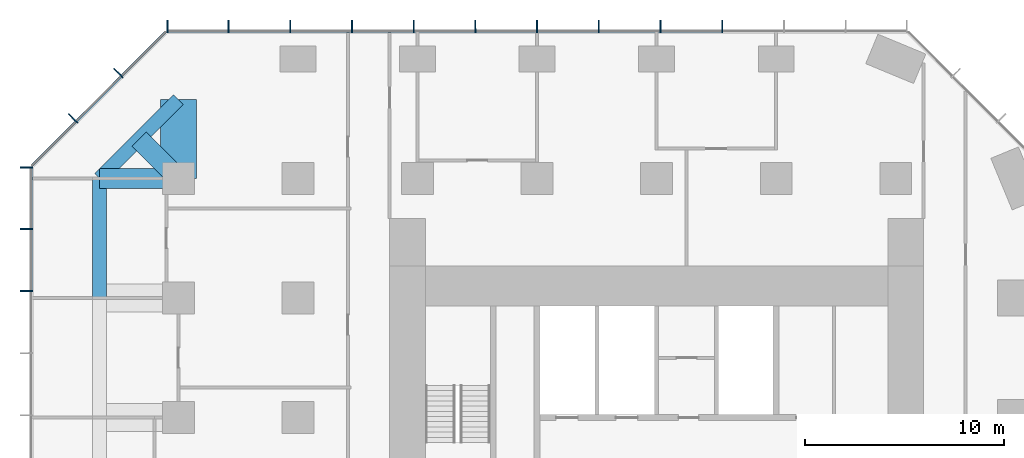
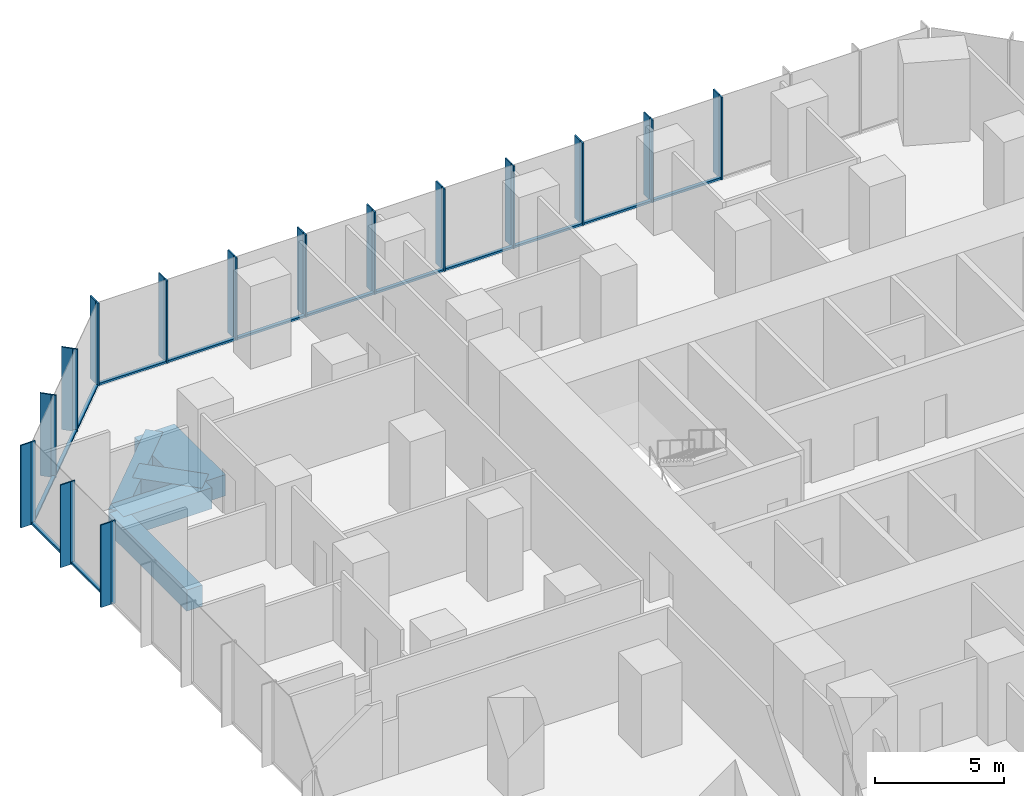
# One storey, part 5 of 11: 44 members, 5 beams, 3 elements without a shape of their own.
"""IFC4 building model written with IfcOpenShell, lengths in metres."""

from ifc_helpers import new_model, si_unit, direction, frame, origin, origin_2d, place, context, subcontext, project, spatial, rectangle, extrude, material, layer, layer_set, material_profile, profile_set, type_object, element, aggregate, save


model = new_model("IFC4")

# Units and contexts
model_context = context("Model", 3, precision=1e-05, world=origin(), true_north=direction((0.0, 1.0)))
body_context = subcontext(model_context, "Body", "Model", "MODEL_VIEW")
ifc_project = project(units=[si_unit("LENGTHUNIT", "METRE"), si_unit("AREAUNIT", "SQUARE_METRE"), si_unit("VOLUMEUNIT", "CUBIC_METRE"), si_unit("PLANEANGLEUNIT", "RADIAN"), si_unit("MASSUNIT", "GRAM", prefix="KILO")], contexts=[model_context])

# Site, building, storey
site_placement = place(None, origin())
site = spatial("IfcSite", under=ifc_project, at=site_placement, CompositionType="ELEMENT")
building_placement = place(site_placement, origin())
building = spatial("IfcBuilding", under=site, at=building_placement, Name="Highveld Stack Headquarters", CompositionType="ELEMENT")
storey_placement = place(building_placement, frame((0.0, 0.0, 132.800048828125)))
storey = spatial("IfcBuildingStorey", under=building, at=storey_placement, Name="L32", CompositionType="ELEMENT", Elevation=132.800048828125)

# Beams
ifc_material_1 = material(Name="Concrete C60/75", Category="concrete")
ifc_material_profile_1 = material_profile(ifc_material_1, rectangle(XDim=1.0, YDim=1.0, at=origin_2d()), Name="RC 1000x1000")
ifc_profile_set_1 = profile_set([ifc_material_profile_1], Name="Concrete C60/75")
beam_type_1 = type_object("IfcBeamType", Name="CANTILEVER RIB RC 1000x1000", PredefinedType="USERDEFINED", material=ifc_profile_set_1)
beam_1_placement = place(storey_placement, frame((-18.0, 18.0, -0.75), z_axis=(-1.0, 0.0, 0.0), x_axis=(0.0, -1.0, 0.0)))
element("IfcBeam", 1, at=beam_1_placement, inside=storey, type_object=beam_type_1, Name="Cantilever rib 3/H L32", ObjectType="CANTILEVER RIB", PredefinedType="USERDEFINED", context=body_context, shape_type="SweptSolid", body=[
    extrude(rectangle(XDim=1.0, YDim=1.0, at=origin_2d()), origin(), (0.0, 0.0, 1.0), 3.949951171875),
])
beam_2_placement = place(storey_placement, frame((-18.0, 18.0, -0.75), z_axis=(-0.707106781187, 0.707106781187, 0.0), x_axis=(-0.707106781187, -0.707106781187, 0.0)))
element("IfcBeam", 2, at=beam_2_placement, inside=storey, type_object=beam_type_1, Name="Cantilever rib 3/H L32", ObjectType="CANTILEVER RIB", PredefinedType="USERDEFINED", context=body_context, shape_type="SweptSolid", body=[
    extrude(rectangle(XDim=1.0, YDim=1.0, at=origin_2d()), origin(), (0.0, 0.0, 1.0), 2.793212890625),
])
ifc_material_2 = material(Name="Concrete C60/75", Category="concrete")
ifc_material_profile_2 = material_profile(ifc_material_2, rectangle(XDim=1.800048828125, YDim=1.0, at=origin_2d()), Name="RC 1800x1000")
ifc_profile_set_2 = profile_set([ifc_material_profile_2], Name="Concrete C60/75")
beam_type_2 = type_object("IfcBeamType", Name="CANTILEVER RIB RC 1800x1000", PredefinedType="USERDEFINED", material=ifc_profile_set_2)
beam_3_placement = place(storey_placement, frame((-18.0, 18.0, -0.75), z_axis=(0.0, 1.0, 0.0), x_axis=(-1.0, 0.0, 0.0)))
element("IfcBeam", 3, at=beam_3_placement, inside=storey, type_object=beam_type_2, Name="Cantilever rib 3/H L32", ObjectType="CANTILEVER RIB", PredefinedType="USERDEFINED", context=body_context, shape_type="SweptSolid", body=[
    extrude(rectangle(XDim=1.800048828125, YDim=1.0, at=origin_2d()), origin(), (0.0, 0.0, 1.0), 3.949951171875),
])

# Curtain wall, members
ifc_material_3 = material(Name="Aluminium bronze anodised", Category="aluminium")
ifc_layer_1 = layer(ifc_material_3, 0.199951171875)
ifc_layer_set_1 = layer_set([ifc_layer_1], Name="Aluminium bronze anodised")
curtain_wall_type_1 = type_object("IfcCurtainWallType", Name="CW1 TOWER UNITISED CURTAIN WALL", PredefinedType="NOTDEFINED", material=ifc_layer_set_1)
curtain_wall_1_placement = place(storey_placement, origin())
curtain_wall_1 = element("IfcCurtainWall", 4, at=curtain_wall_1_placement, inside=storey, type_object=curtain_wall_type_1, Name="Curtain wall CW1 L32 N", PredefinedType="NOTDEFINED")
ifc_material_4 = material(Name="Aluminium bronze anodised", Category="aluminium")
ifc_material_profile_3 = material_profile(ifc_material_4, rectangle(XDim=0.449951171875, YDim=0.06005859375, at=origin_2d()), Name="FIN 450x60")
ifc_profile_set_3 = profile_set([ifc_material_profile_3], Name="Aluminium bronze anodised")
member_type_1 = type_object("IfcMemberType", Name="CW1 BRONZE FIN 450x60", PredefinedType="USERDEFINED", material=ifc_profile_set_3)
member_1_placement = place(storey_placement, frame((9.289794921875, 25.72509765625, 0.0), z_axis=(0.0, 0.0, 1.0), x_axis=(0.0, -1.0, 0.0)))
member_1 = element("IfcMember", 5, at=member_1_placement, type_object=member_type_1, Name="CW1 fin L32 4", ObjectType="FIN", PredefinedType="USERDEFINED", context=body_context, shape_type="SweptSolid", body=[
    extrude(rectangle(XDim=0.449951171875, YDim=0.06005859375, at=origin_2d()), origin(), (0.0, 0.0, 1.0), 3.89990234375),
])
member_2_placement = place(storey_placement, frame((6.193359375, 25.72509765625, 0.0), z_axis=(0.0, 0.0, 1.0), x_axis=(0.0, -1.0, 0.0)))
member_2 = element("IfcMember", 6, at=member_2_placement, type_object=member_type_1, Name="CW1 fin L32 5", ObjectType="FIN", PredefinedType="USERDEFINED", context=body_context, shape_type="SweptSolid", body=[
    extrude(rectangle(XDim=0.449951171875, YDim=0.06005859375, at=origin_2d()), origin(), (0.0, 0.0, 1.0), 3.89990234375),
])
member_3_placement = place(storey_placement, frame((3.0966796875, 25.72509765625, 0.0), z_axis=(0.0, 0.0, 1.0), x_axis=(0.0, -1.0, 0.0)))
member_3 = element("IfcMember", 7, at=member_3_placement, type_object=member_type_1, Name="CW1 fin L32 6", ObjectType="FIN", PredefinedType="USERDEFINED", context=body_context, shape_type="SweptSolid", body=[
    extrude(rectangle(XDim=0.449951171875, YDim=0.06005859375, at=origin_2d()), origin(), (0.0, 0.0, 1.0), 3.89990234375),
])
member_4_placement = place(storey_placement, frame((0.0, 25.72509765625, 0.0), z_axis=(0.0, 0.0, 1.0), x_axis=(0.0, -1.0, 0.0)))
member_4 = element("IfcMember", 8, at=member_4_placement, type_object=member_type_1, Name="CW1 fin L32 7", ObjectType="FIN", PredefinedType="USERDEFINED", context=body_context, shape_type="SweptSolid", body=[
    extrude(rectangle(XDim=0.449951171875, YDim=0.06005859375, at=origin_2d()), origin(), (0.0, 0.0, 1.0), 3.89990234375),
])
member_5_placement = place(storey_placement, frame((-3.0966796875, 25.72509765625, 0.0), z_axis=(0.0, 0.0, 1.0), x_axis=(0.0, -1.0, 0.0)))
member_5 = element("IfcMember", 9, at=member_5_placement, type_object=member_type_1, Name="CW1 fin L32 8", ObjectType="FIN", PredefinedType="USERDEFINED", context=body_context, shape_type="SweptSolid", body=[
    extrude(rectangle(XDim=0.449951171875, YDim=0.06005859375, at=origin_2d()), origin(), (0.0, 0.0, 1.0), 3.89990234375),
])
member_6_placement = place(storey_placement, frame((-6.193359375, 25.72509765625, 0.0), z_axis=(0.0, 0.0, 1.0), x_axis=(0.0, -1.0, 0.0)))
member_6 = element("IfcMember", 10, at=member_6_placement, type_object=member_type_1, Name="CW1 fin L32 9", ObjectType="FIN", PredefinedType="USERDEFINED", context=body_context, shape_type="SweptSolid", body=[
    extrude(rectangle(XDim=0.449951171875, YDim=0.06005859375, at=origin_2d()), origin(), (0.0, 0.0, 1.0), 3.89990234375),
])
member_7_placement = place(storey_placement, frame((-9.2900390625, 25.72509765625, 0.0), z_axis=(0.0, 0.0, 1.0), x_axis=(0.0, -1.0, 0.0)))
member_7 = element("IfcMember", 11, at=member_7_placement, type_object=member_type_1, Name="CW1 fin L32 10", ObjectType="FIN", PredefinedType="USERDEFINED", context=body_context, shape_type="SweptSolid", body=[
    extrude(rectangle(XDim=0.449951171875, YDim=0.06005859375, at=origin_2d()), origin(), (0.0, 0.0, 1.0), 3.89990234375),
])
member_8_placement = place(storey_placement, frame((-12.38671875, 25.72509765625, 0.0), z_axis=(0.0, 0.0, 1.0), x_axis=(0.0, -1.0, 0.0)))
member_8 = element("IfcMember", 12, at=member_8_placement, type_object=member_type_1, Name="CW1 fin L32 11", ObjectType="FIN", PredefinedType="USERDEFINED", context=body_context, shape_type="SweptSolid", body=[
    extrude(rectangle(XDim=0.449951171875, YDim=0.06005859375, at=origin_2d()), origin(), (0.0, 0.0, 1.0), 3.89990234375),
])
member_9_placement = place(storey_placement, frame((-15.4833984375, 25.72509765625, 0.0), z_axis=(0.0, 0.0, 1.0), x_axis=(0.0, -1.0, 0.0)))
member_9 = element("IfcMember", 13, at=member_9_placement, type_object=member_type_1, Name="CW1 fin L32 12", ObjectType="FIN", PredefinedType="USERDEFINED", context=body_context, shape_type="SweptSolid", body=[
    extrude(rectangle(XDim=0.449951171875, YDim=0.06005859375, at=origin_2d()), origin(), (0.0, 0.0, 1.0), 3.89990234375),
])
member_10_placement = place(storey_placement, frame((-18.54736328125, 25.72509765625, 0.0), z_axis=(0.0, 0.0, 1.0), x_axis=(0.0, -1.0, 0.0)))
member_10 = element("IfcMember", 14, at=member_10_placement, type_object=member_type_1, Name="CW1 fin L32 13", ObjectType="FIN", PredefinedType="USERDEFINED", context=body_context, shape_type="SweptSolid", body=[
    extrude(rectangle(XDim=0.449951171875, YDim=0.06005859375, at=origin_2d()), origin(), (0.0, 0.0, 1.0), 3.89990234375),
])

curtain_wall_2_placement = place(storey_placement, origin())
curtain_wall_2 = element("IfcCurtainWall", 15, at=curtain_wall_2_placement, inside=storey, type_object=curtain_wall_type_1, Name="Curtain wall CW1 L32 W", PredefinedType="NOTDEFINED")
member_11_placement = place(storey_placement, frame((-25.72509765625, 18.54736328125, 0.0), z_axis=(0.0, 0.0, 1.0), x_axis=(1.0, 0.0, 0.0)))
member_11 = element("IfcMember", 16, at=member_11_placement, type_object=member_type_1, Name="CW1 fin L32 1", ObjectType="FIN", PredefinedType="USERDEFINED", context=body_context, shape_type="SweptSolid", body=[
    extrude(rectangle(XDim=0.449951171875, YDim=0.06005859375, at=origin_2d()), origin(), (0.0, 0.0, 1.0), 3.89990234375),
])
member_12_placement = place(storey_placement, frame((-25.72509765625, 15.4638671875, 0.0), z_axis=(0.0, 0.0, 1.0), x_axis=(1.0, 0.0, 0.0)))
member_12 = element("IfcMember", 17, at=member_12_placement, type_object=member_type_1, Name="CW1 fin L32 2", ObjectType="FIN", PredefinedType="USERDEFINED", context=body_context, shape_type="SweptSolid", body=[
    extrude(rectangle(XDim=0.449951171875, YDim=0.06005859375, at=origin_2d()), origin(), (0.0, 0.0, 1.0), 3.89990234375),
])
member_13_placement = place(storey_placement, frame((-25.72509765625, 12.347900390625, 0.0), z_axis=(0.0, 0.0, 1.0), x_axis=(1.0, 0.0, 0.0)))
member_13 = element("IfcMember", 18, at=member_13_placement, type_object=member_type_1, Name="CW1 fin L32 3", ObjectType="FIN", PredefinedType="USERDEFINED", context=body_context, shape_type="SweptSolid", body=[
    extrude(rectangle(XDim=0.449951171875, YDim=0.06005859375, at=origin_2d()), origin(), (0.0, 0.0, 1.0), 3.89990234375),
])

# Member
ifc_material_5 = material(Name="Aluminium bronze anodised", Category="aluminium")
ifc_material_profile_4 = material_profile(ifc_material_5, rectangle(XDim=0.199951171875, YDim=0.06494140625, at=origin_2d()), Name="CW1 MULLION 65x200")
ifc_profile_set_4 = profile_set([ifc_material_profile_4], Name="Aluminium bronze anodised")
member_type_2 = type_object("IfcMemberType", Name="CW1 MULLION 65x200", PredefinedType="MULLION", material=ifc_profile_set_4)
member_14_placement = place(storey_placement, frame((9.289794921875, 25.39990234375, 0.0), z_axis=(0.0, 0.0, 1.0), x_axis=(0.0, -1.0, 0.0)))
member_14 = element("IfcMember", 19, at=member_14_placement, type_object=member_type_2, Name="CW1 mullion L32 4", PredefinedType="MULLION", context=body_context, shape_type="SweptSolid", body=[
    extrude(rectangle(XDim=0.199951171875, YDim=0.06494140625, at=origin_2d()), origin(), (0.0, 0.0, 1.0), 3.89990234375),
])

member_15_placement = place(storey_placement, frame((6.193359375, 25.39990234375, 0.0), z_axis=(0.0, 0.0, 1.0), x_axis=(0.0, -1.0, 0.0)))
member_15 = element("IfcMember", 20, at=member_15_placement, type_object=member_type_2, Name="CW1 mullion L32 5", PredefinedType="MULLION", context=body_context, shape_type="SweptSolid", body=[
    extrude(rectangle(XDim=0.199951171875, YDim=0.06494140625, at=origin_2d()), origin(), (0.0, 0.0, 1.0), 3.89990234375),
])

member_16_placement = place(storey_placement, frame((3.0966796875, 25.39990234375, 0.0), z_axis=(0.0, 0.0, 1.0), x_axis=(0.0, -1.0, 0.0)))
member_16 = element("IfcMember", 21, at=member_16_placement, type_object=member_type_2, Name="CW1 mullion L32 6", PredefinedType="MULLION", context=body_context, shape_type="SweptSolid", body=[
    extrude(rectangle(XDim=0.199951171875, YDim=0.06494140625, at=origin_2d()), origin(), (0.0, 0.0, 1.0), 3.89990234375),
])

member_17_placement = place(storey_placement, frame((0.0, 25.39990234375, 0.0), z_axis=(0.0, 0.0, 1.0), x_axis=(0.0, -1.0, 0.0)))
member_17 = element("IfcMember", 22, at=member_17_placement, type_object=member_type_2, Name="CW1 mullion L32 7", PredefinedType="MULLION", context=body_context, shape_type="SweptSolid", body=[
    extrude(rectangle(XDim=0.199951171875, YDim=0.06494140625, at=origin_2d()), origin(), (0.0, 0.0, 1.0), 3.89990234375),
])

member_18_placement = place(storey_placement, frame((-3.0966796875, 25.39990234375, 0.0), z_axis=(0.0, 0.0, 1.0), x_axis=(0.0, -1.0, 0.0)))
member_18 = element("IfcMember", 23, at=member_18_placement, type_object=member_type_2, Name="CW1 mullion L32 8", PredefinedType="MULLION", context=body_context, shape_type="SweptSolid", body=[
    extrude(rectangle(XDim=0.199951171875, YDim=0.06494140625, at=origin_2d()), origin(), (0.0, 0.0, 1.0), 3.89990234375),
])

member_19_placement = place(storey_placement, frame((-6.193359375, 25.39990234375, 0.0), z_axis=(0.0, 0.0, 1.0), x_axis=(0.0, -1.0, 0.0)))
member_19 = element("IfcMember", 24, at=member_19_placement, type_object=member_type_2, Name="CW1 mullion L32 9", PredefinedType="MULLION", context=body_context, shape_type="SweptSolid", body=[
    extrude(rectangle(XDim=0.199951171875, YDim=0.06494140625, at=origin_2d()), origin(), (0.0, 0.0, 1.0), 3.89990234375),
])

member_20_placement = place(storey_placement, frame((-9.2900390625, 25.39990234375, 0.0), z_axis=(0.0, 0.0, 1.0), x_axis=(0.0, -1.0, 0.0)))
member_20 = element("IfcMember", 25, at=member_20_placement, type_object=member_type_2, Name="CW1 mullion L32 10", PredefinedType="MULLION", context=body_context, shape_type="SweptSolid", body=[
    extrude(rectangle(XDim=0.199951171875, YDim=0.06494140625, at=origin_2d()), origin(), (0.0, 0.0, 1.0), 3.89990234375),
])

member_21_placement = place(storey_placement, frame((-12.38671875, 25.39990234375, 0.0), z_axis=(0.0, 0.0, 1.0), x_axis=(0.0, -1.0, 0.0)))
member_21 = element("IfcMember", 26, at=member_21_placement, type_object=member_type_2, Name="CW1 mullion L32 11", PredefinedType="MULLION", context=body_context, shape_type="SweptSolid", body=[
    extrude(rectangle(XDim=0.199951171875, YDim=0.06494140625, at=origin_2d()), origin(), (0.0, 0.0, 1.0), 3.89990234375),
])

member_22_placement = place(storey_placement, frame((-15.4833984375, 25.39990234375, 0.0), z_axis=(0.0, 0.0, 1.0), x_axis=(0.0, -1.0, 0.0)))
member_22 = element("IfcMember", 27, at=member_22_placement, type_object=member_type_2, Name="CW1 mullion L32 12", PredefinedType="MULLION", context=body_context, shape_type="SweptSolid", body=[
    extrude(rectangle(XDim=0.199951171875, YDim=0.06494140625, at=origin_2d()), origin(), (0.0, 0.0, 1.0), 3.89990234375),
])

member_23_placement = place(storey_placement, frame((-18.54736328125, 25.39990234375, 0.0), z_axis=(0.0, 0.0, 1.0), x_axis=(0.0, -1.0, 0.0)))
member_23 = element("IfcMember", 28, at=member_23_placement, type_object=member_type_2, Name="CW1 mullion L32 13", PredefinedType="MULLION", context=body_context, shape_type="SweptSolid", body=[
    extrude(rectangle(XDim=0.199951171875, YDim=0.06494140625, at=origin_2d()), origin(), (0.0, 0.0, 1.0), 3.89990234375),
])

member_24_placement = place(storey_placement, frame((-25.39990234375, 18.54736328125, 0.0), z_axis=(0.0, 0.0, 1.0), x_axis=(1.0, 0.0, 0.0)))
member_24 = element("IfcMember", 29, at=member_24_placement, type_object=member_type_2, Name="CW1 mullion L32 1", PredefinedType="MULLION", context=body_context, shape_type="SweptSolid", body=[
    extrude(rectangle(XDim=0.199951171875, YDim=0.06494140625, at=origin_2d()), origin(), (0.0, 0.0, 1.0), 3.89990234375),
])

member_25_placement = place(storey_placement, frame((-25.39990234375, 15.4638671875, 0.0), z_axis=(0.0, 0.0, 1.0), x_axis=(1.0, 0.0, 0.0)))
member_25 = element("IfcMember", 30, at=member_25_placement, type_object=member_type_2, Name="CW1 mullion L32 2", PredefinedType="MULLION", context=body_context, shape_type="SweptSolid", body=[
    extrude(rectangle(XDim=0.199951171875, YDim=0.06494140625, at=origin_2d()), origin(), (0.0, 0.0, 1.0), 3.89990234375),
])

member_26_placement = place(storey_placement, frame((-25.39990234375, 12.347900390625, 0.0), z_axis=(0.0, 0.0, 1.0), x_axis=(1.0, 0.0, 0.0)))
member_26 = element("IfcMember", 31, at=member_26_placement, type_object=member_type_2, Name="CW1 mullion L32 3", PredefinedType="MULLION", context=body_context, shape_type="SweptSolid", body=[
    extrude(rectangle(XDim=0.199951171875, YDim=0.06494140625, at=origin_2d()), origin(), (0.0, 0.0, 1.0), 3.89990234375),
])

ifc_material_6 = material(Name="Aluminium bronze anodised", Category="aluminium")
ifc_material_profile_5 = material_profile(ifc_material_6, rectangle(XDim=0.14990234375, YDim=0.10009765625, at=origin_2d()), Name="CW1 TRANSOM 150x100")
ifc_profile_set_5 = profile_set([ifc_material_profile_5], Name="Aluminium bronze anodised")
member_type_3 = type_object("IfcMemberType", Name="CW1 STACK TRANSOM 150x100", PredefinedType="USERDEFINED", material=ifc_profile_set_5)
member_27_placement = place(storey_placement, frame((9.25732421875, 25.39990234375, 0.050048828125), z_axis=(-1.0, 0.0, 0.0), x_axis=(0.0, -1.0, 0.0)))
member_27 = element("IfcMember", 32, at=member_27_placement, type_object=member_type_3, Name="CW1 transom L32 4.1", ObjectType="TRANSOM", PredefinedType="USERDEFINED", context=body_context, shape_type="SweptSolid", body=[
    extrude(rectangle(XDim=0.14990234375, YDim=0.10009765625, at=origin_2d()), origin(), (0.0, 0.0, 1.0), 3.031494140625),
])

member_28_placement = place(storey_placement, frame((6.160888671875, 25.39990234375, 0.050048828125), z_axis=(-1.0, 0.0, 0.0), x_axis=(0.0, -1.0, 0.0)))
member_28 = element("IfcMember", 33, at=member_28_placement, type_object=member_type_3, Name="CW1 transom L32 5.1", ObjectType="TRANSOM", PredefinedType="USERDEFINED", context=body_context, shape_type="SweptSolid", body=[
    extrude(rectangle(XDim=0.14990234375, YDim=0.10009765625, at=origin_2d()), origin(), (0.0, 0.0, 1.0), 3.03173828125),
])

member_29_placement = place(storey_placement, frame((3.064208984375, 25.39990234375, 0.050048828125), z_axis=(-1.0, 0.0, 0.0), x_axis=(0.0, -1.0, 0.0)))
member_29 = element("IfcMember", 34, at=member_29_placement, type_object=member_type_3, Name="CW1 transom L32 6.1", ObjectType="TRANSOM", PredefinedType="USERDEFINED", context=body_context, shape_type="SweptSolid", body=[
    extrude(rectangle(XDim=0.14990234375, YDim=0.10009765625, at=origin_2d()), origin(), (0.0, 0.0, 1.0), 3.03173828125),
])

member_30_placement = place(storey_placement, frame((-0.032470703125, 25.39990234375, 0.050048828125), z_axis=(-1.0, 0.0, 0.0), x_axis=(0.0, -1.0, 0.0)))
member_30 = element("IfcMember", 35, at=member_30_placement, type_object=member_type_3, Name="CW1 transom L32 7.1", ObjectType="TRANSOM", PredefinedType="USERDEFINED", context=body_context, shape_type="SweptSolid", body=[
    extrude(rectangle(XDim=0.14990234375, YDim=0.10009765625, at=origin_2d()), origin(), (0.0, 0.0, 1.0), 3.03173828125),
])

member_31_placement = place(storey_placement, frame((-3.129150390625, 25.39990234375, 0.050048828125), z_axis=(-1.0, 0.0, 0.0), x_axis=(0.0, -1.0, 0.0)))
member_31 = element("IfcMember", 36, at=member_31_placement, type_object=member_type_3, Name="CW1 transom L32 8.1", ObjectType="TRANSOM", PredefinedType="USERDEFINED", context=body_context, shape_type="SweptSolid", body=[
    extrude(rectangle(XDim=0.14990234375, YDim=0.10009765625, at=origin_2d()), origin(), (0.0, 0.0, 1.0), 3.03173828125),
])

member_32_placement = place(storey_placement, frame((-6.225830078125, 25.39990234375, 0.050048828125), z_axis=(-1.0, 0.0, 0.0), x_axis=(0.0, -1.0, 0.0)))
member_32 = element("IfcMember", 37, at=member_32_placement, type_object=member_type_3, Name="CW1 transom L32 9.1", ObjectType="TRANSOM", PredefinedType="USERDEFINED", context=body_context, shape_type="SweptSolid", body=[
    extrude(rectangle(XDim=0.14990234375, YDim=0.10009765625, at=origin_2d()), origin(), (0.0, 0.0, 1.0), 3.03173828125),
])

member_33_placement = place(storey_placement, frame((-9.322509765625, 25.39990234375, 0.050048828125), z_axis=(-1.0, 0.0, 0.0), x_axis=(0.0, -1.0, 0.0)))
member_33 = element("IfcMember", 38, at=member_33_placement, type_object=member_type_3, Name="CW1 transom L32 10.1", ObjectType="TRANSOM", PredefinedType="USERDEFINED", context=body_context, shape_type="SweptSolid", body=[
    extrude(rectangle(XDim=0.14990234375, YDim=0.10009765625, at=origin_2d()), origin(), (0.0, 0.0, 1.0), 3.031494140625),
])

member_34_placement = place(storey_placement, frame((-12.419189453125, 25.39990234375, 0.050048828125), z_axis=(-1.0, 0.0, 0.0), x_axis=(0.0, -1.0, 0.0)))
member_34 = element("IfcMember", 39, at=member_34_placement, type_object=member_type_3, Name="CW1 transom L32 11.1", ObjectType="TRANSOM", PredefinedType="USERDEFINED", context=body_context, shape_type="SweptSolid", body=[
    extrude(rectangle(XDim=0.14990234375, YDim=0.10009765625, at=origin_2d()), origin(), (0.0, 0.0, 1.0), 3.031494140625),
])

member_35_placement = place(storey_placement, frame((-15.515869140625, 25.39990234375, 0.050048828125), z_axis=(-1.0, 0.0, 0.0), x_axis=(0.0, -1.0, 0.0)))
member_35 = element("IfcMember", 40, at=member_35_placement, type_object=member_type_3, Name="CW1 transom L32 12.1", ObjectType="TRANSOM", PredefinedType="USERDEFINED", context=body_context, shape_type="SweptSolid", body=[
    extrude(rectangle(XDim=0.14990234375, YDim=0.10009765625, at=origin_2d()), origin(), (0.0, 0.0, 1.0), 2.9990234375),
])

aggregate(curtain_wall_1, [member_14, member_1, member_15, member_2, member_16, member_3, member_17, member_4, member_18, member_5, member_19, member_6, member_20, member_7, member_21, member_8, member_22, member_9, member_23, member_10, member_27, member_28, member_29, member_30, member_31, member_32, member_33, member_34, member_35])

member_36_placement = place(storey_placement, frame((-25.39990234375, 18.514892578125, 0.050048828125), z_axis=(0.0, -1.0, 0.0), x_axis=(1.0, 0.0, 0.0)))
member_36 = element("IfcMember", 41, at=member_36_placement, type_object=member_type_3, Name="CW1 transom L32 1.1", ObjectType="TRANSOM", PredefinedType="USERDEFINED", context=body_context, shape_type="SweptSolid", body=[
    extrude(rectangle(XDim=0.14990234375, YDim=0.10009765625, at=origin_2d()), origin(), (0.0, 0.0, 1.0), 3.0185546875),
])

member_37_placement = place(storey_placement, frame((-25.39990234375, 15.431396484375, 0.050048828125), z_axis=(0.0, -1.0, 0.0), x_axis=(1.0, 0.0, 0.0)))
member_37 = element("IfcMember", 42, at=member_37_placement, type_object=member_type_3, Name="CW1 transom L32 2.1", ObjectType="TRANSOM", PredefinedType="USERDEFINED", context=body_context, shape_type="SweptSolid", body=[
    extrude(rectangle(XDim=0.14990234375, YDim=0.10009765625, at=origin_2d()), origin(), (0.0, 0.0, 1.0), 3.051025390625),
])

aggregate(curtain_wall_2, [member_24, member_11, member_25, member_12, member_26, member_13, member_36, member_37])

# Curtain wall, members
ifc_material_7 = material(Name="Aluminium bronze anodised", Category="aluminium")
ifc_layer_2 = layer(ifc_material_7, 0.199951171875)
ifc_layer_set_2 = layer_set([ifc_layer_2], Name="Aluminium bronze anodised")
curtain_wall_type_2 = type_object("IfcCurtainWallType", Name="CW2 TOWER CHAMFER UNITISED CURTAIN WALL", PredefinedType="NOTDEFINED", material=ifc_layer_set_2)
curtain_wall_3_placement = place(storey_placement, origin())
curtain_wall_3 = element("IfcCurtainWall", 43, at=curtain_wall_3_placement, inside=storey, type_object=curtain_wall_type_2, Name="Curtain wall CW2 L32 NW", PredefinedType="NOTDEFINED")
ifc_material_8 = material(Name="Aluminium bronze anodised", Category="aluminium")
ifc_material_profile_6 = material_profile(ifc_material_8, rectangle(XDim=0.449951171875, YDim=0.06005859375, at=origin_2d()), Name="FIN 450x60")
ifc_profile_set_6 = profile_set([ifc_material_profile_6], Name="Aluminium bronze anodised")
member_type_4 = type_object("IfcMemberType", Name="CW2 BRONZE FIN 450x60", PredefinedType="USERDEFINED", material=ifc_profile_set_6)
member_38_placement = place(storey_placement, frame((-21.0830078125, 23.3564453125, 0.0), z_axis=(0.0, 0.0, 1.0), x_axis=(0.707106781187, -0.707106781187, 0.0)))
member_38 = element("IfcMember", 44, at=member_38_placement, type_object=member_type_4, Name="CW2 fin L32 1", ObjectType="FIN", PredefinedType="USERDEFINED", context=body_context, shape_type="SweptSolid", body=[
    extrude(rectangle(XDim=0.449951171875, YDim=0.06005859375, at=origin_2d()), origin(), (0.0, 0.0, 1.0), 3.89990234375),
])
member_39_placement = place(storey_placement, frame((-23.3564453125, 21.0830078125, 0.0), z_axis=(0.0, 0.0, 1.0), x_axis=(0.707106781187, -0.707106781187, 0.0)))
member_39 = element("IfcMember", 45, at=member_39_placement, type_object=member_type_4, Name="CW2 fin L32 2", ObjectType="FIN", PredefinedType="USERDEFINED", context=body_context, shape_type="SweptSolid", body=[
    extrude(rectangle(XDim=0.449951171875, YDim=0.06005859375, at=origin_2d()), origin(), (0.0, 0.0, 1.0), 3.89990234375),
])
ifc_material_9 = material(Name="Aluminium bronze anodised", Category="aluminium")
ifc_material_profile_7 = material_profile(ifc_material_9, rectangle(XDim=0.199951171875, YDim=0.06494140625, at=origin_2d()), Name="CW2 MULLION 65x200")
ifc_profile_set_7 = profile_set([ifc_material_profile_7], Name="Aluminium bronze anodised")
member_type_5 = type_object("IfcMemberType", Name="CW2 MULLION 65x200", PredefinedType="MULLION", material=ifc_profile_set_7)
member_40_placement = place(storey_placement, frame((-20.853271484375, 23.126708984375, 0.0), z_axis=(0.0, 0.0, 1.0), x_axis=(0.707106781187, -0.707106781187, 0.0)))
member_40 = element("IfcMember", 46, at=member_40_placement, type_object=member_type_5, Name="CW2 mullion L32 1", PredefinedType="MULLION", context=body_context, shape_type="SweptSolid", body=[
    extrude(rectangle(XDim=0.199951171875, YDim=0.06494140625, at=origin_2d()), origin(), (0.0, 0.0, 1.0), 3.89990234375),
])
member_41_placement = place(storey_placement, frame((-23.126708984375, 20.853271484375, 0.0), z_axis=(0.0, 0.0, 1.0), x_axis=(0.707106781187, -0.707106781187, 0.0)))
member_41 = element("IfcMember", 47, at=member_41_placement, type_object=member_type_5, Name="CW2 mullion L32 2", PredefinedType="MULLION", context=body_context, shape_type="SweptSolid", body=[
    extrude(rectangle(XDim=0.199951171875, YDim=0.06494140625, at=origin_2d()), origin(), (0.0, 0.0, 1.0), 3.89990234375),
])
ifc_material_10 = material(Name="Aluminium bronze anodised", Category="aluminium")
ifc_material_profile_8 = material_profile(ifc_material_10, rectangle(XDim=0.14990234375, YDim=0.10009765625, at=origin_2d()), Name="CW2 TRANSOM 150x100")
ifc_profile_set_8 = profile_set([ifc_material_profile_8], Name="Aluminium bronze anodised")
member_type_6 = type_object("IfcMemberType", Name="CW2 STACK TRANSOM 150x100", PredefinedType="USERDEFINED", material=ifc_profile_set_8)
member_42_placement = place(storey_placement, frame((-18.650634765625, 25.329345703125, 0.050048828125), z_axis=(-0.707106781187, -0.707106781187, 0.0), x_axis=(0.707106781187, -0.707106781187, 0.0)))
member_42 = element("IfcMember", 48, at=member_42_placement, type_object=member_type_6, Name="CW2 transom L32 1.1", ObjectType="TRANSOM", PredefinedType="USERDEFINED", context=body_context, shape_type="SweptSolid", body=[
    extrude(rectangle(XDim=0.14990234375, YDim=0.10009765625, at=origin_2d()), origin(), (0.0, 0.0, 1.0), 3.08251953125),
])
member_43_placement = place(storey_placement, frame((-20.876220703125, 23.103759765625, 0.050048828125), z_axis=(-0.707106781187, -0.707106781187, 0.0), x_axis=(0.707106781187, -0.707106781187, 0.0)))
member_43 = element("IfcMember", 49, at=member_43_placement, type_object=member_type_6, Name="CW2 transom L32 2.1", ObjectType="TRANSOM", PredefinedType="USERDEFINED", context=body_context, shape_type="SweptSolid", body=[
    extrude(rectangle(XDim=0.14990234375, YDim=0.10009765625, at=origin_2d()), origin(), (0.0, 0.0, 1.0), 3.150146484375),
])
member_44_placement = place(storey_placement, frame((-23.149658203125, 20.830322265625, 0.050048828125), z_axis=(-0.707106781187, -0.707106781187, 0.0), x_axis=(0.707106781187, -0.707106781187, 0.0)))
member_44 = element("IfcMember", 50, at=member_44_placement, type_object=member_type_6, Name="CW2 transom L32 3.1", ObjectType="TRANSOM", PredefinedType="USERDEFINED", context=body_context, shape_type="SweptSolid", body=[
    extrude(rectangle(XDim=0.14990234375, YDim=0.10009765625, at=origin_2d()), origin(), (0.0, 0.0, 1.0), 3.08251953125),
])
aggregate(curtain_wall_3, [member_40, member_38, member_41, member_39, member_42, member_43, member_44])

# Beams
ifc_material_11 = material(Name="Concrete C60/75", Category="concrete")
ifc_material_profile_9 = material_profile(ifc_material_11, rectangle(XDim=0.699951171875, YDim=1.0, at=origin_2d()), Name="RC 700x1000")
ifc_profile_set_9 = profile_set([ifc_material_profile_9], Name="Concrete C60/75")
beam_type_3 = type_object("IfcBeamType", Name="RIB TIP BEAM RC 700x1000", PredefinedType="SPANDREL", material=ifc_profile_set_9)
beam_4_placement = place(storey_placement, frame((-21.949951171875, 12.0, -0.75), z_axis=(0.0, 1.0, 0.0), x_axis=(-1.0, 0.0, 0.0)))
element("IfcBeam", 51, at=beam_4_placement, inside=storey, type_object=beam_type_3, Name="Rib tip beam 3/G to 3/H L32", PredefinedType="SPANDREL", context=body_context, shape_type="SweptSolid", body=[
    extrude(rectangle(XDim=0.699951171875, YDim=1.0, at=origin_2d()), origin(), (0.0, 0.0, 1.0), 6.0),
])
beam_5_placement = place(storey_placement, frame((-21.949951171875, 18.0, -0.75), z_axis=(0.707106781187, 0.707106781187, 0.0), x_axis=(-0.707106781187, 0.707106781187, 0.0)))
element("IfcBeam", 52, at=beam_5_placement, inside=storey, type_object=beam_type_3, Name="Rib tip beam 3/H corner L32", PredefinedType="SPANDREL", context=body_context, shape_type="SweptSolid", body=[
    extrude(rectangle(XDim=0.699951171875, YDim=1.0, at=origin_2d()), origin(), (0.0, 0.0, 1.0), 5.586181640625),
])

save(model, "model.ifc")
